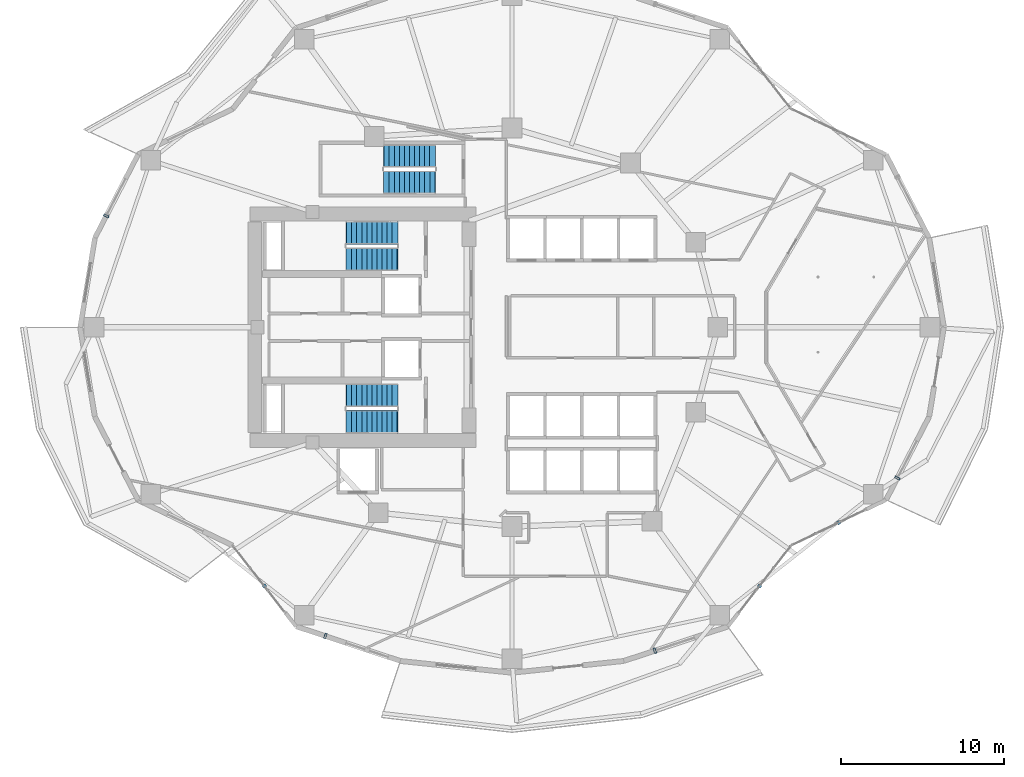
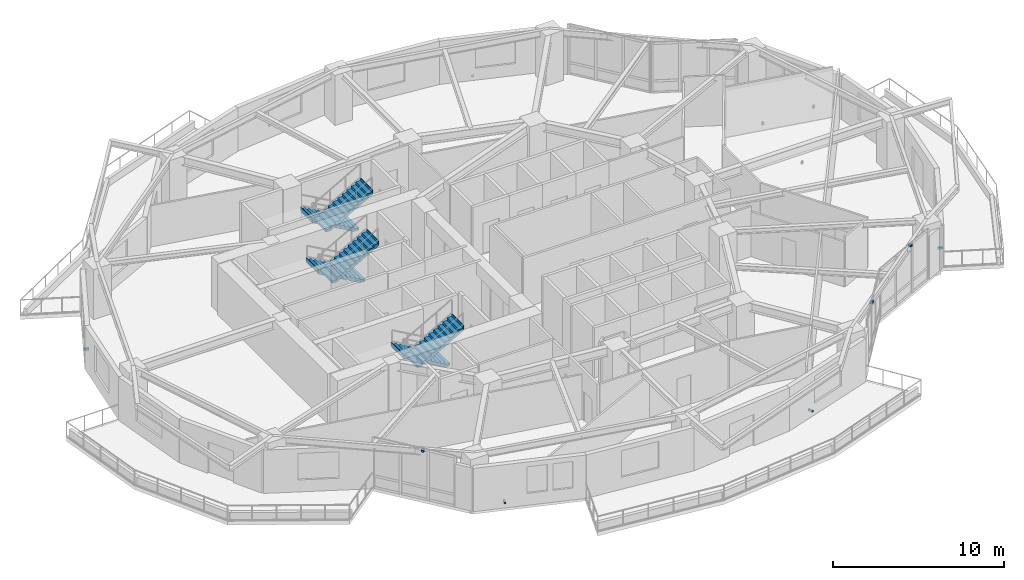
# One storey, part 12 of 18: 7 discrete accessories, 6 stair flights, 3 elements without a shape of their own.
"""IFC4 building model written with IfcOpenShell, lengths in metres."""

from ifc_helpers import new_model, si_unit, direction, frame, origin, origin_2d, place, context, subcontext, project, spatial, polyline, rectangle, outline, extrude, material, type_object, element, aggregate, save


model = new_model("IFC4")

# Units and contexts
model_context = context("Model", 3, precision=1e-05, world=origin(), true_north=direction((0.0, 1.0)))
body_context = subcontext(model_context, "Body", "Model", "MODEL_VIEW")
ifc_project = project(units=[si_unit("LENGTHUNIT", "METRE"), si_unit("AREAUNIT", "SQUARE_METRE"), si_unit("VOLUMEUNIT", "CUBIC_METRE"), si_unit("PLANEANGLEUNIT", "RADIAN"), si_unit("MASSUNIT", "GRAM", prefix="KILO")], contexts=[model_context])

# Site, building, storey
site_placement = place(None, origin())
site = spatial("IfcSite", under=ifc_project, at=site_placement, CompositionType="ELEMENT")
building_placement = place(site_placement, origin())
building = spatial("IfcBuilding", under=site, at=building_placement, Name="Kolvaren Gate Tower and Convention Centre", CompositionType="ELEMENT")
storey_placement = place(building_placement, frame((0.0, 0.0, 61.14990234375)))
storey = spatial("IfcBuildingStorey", under=building, at=storey_placement, Name="L14", CompositionType="ELEMENT", Elevation=61.14990234375)

# Stair, stair flights
ifc_material_1 = material(Name="Concrete C50/60", Category="concrete")
stair_type = type_object("IfcStairType", Name="STR-STAIR-CORE", PredefinedType="HALF_TURN_STAIR", material=ifc_material_1)
stair_1_placement = place(storey_placement, origin())
stair_1 = element("IfcStair", 1, at=stair_1_placement, inside=storey, type_object=stair_type, Name="L14 Tower North Exit Stair ST-T1", PredefinedType="HALF_TURN_STAIR")
stair_flight_type = type_object("IfcStairFlightType", Name="STR-SFL-1420", PredefinedType="STRAIGHT", material=ifc_material_1)
stair_flight_1_placement = place(storey_placement, frame((23.10009765625, 32.7900390625, 0.0), z_axis=(0.0, 0.0, 1.0), x_axis=(-1.0, 0.0, 0.0)))
stair_flight_1 = element("IfcStairFlight", 2, at=stair_flight_1_placement, type_object=stair_flight_type, Name="ST-T1 flight 1", NumberOfRisers=11, NumberOfTreads=10, PredefinedType="STRAIGHT", RiserHeight=0.175, TreadLength=0.31, context=body_context, shape_type="SweptSolid", body=[
    extrude(outline(polyline([(-0.034912109375, 0.0), (-0.034912109375, 0.175048828125), (0.31005859375, 0.175048828125), (0.31005859375, 0.35009765625), (0.6201171875, 0.35009765625), (0.6201171875, 0.52490234375), (0.929931640625, 0.52490234375), (0.929931640625, 0.699951171875), (1.239990234375, 0.699951171875), (1.239990234375, 0.875), (1.550048828125, 0.875), (1.550048828125, 1.050048828125), (1.860107421875, 1.050048828125), (1.860107421875, 1.22509765625), (2.169921875, 1.22509765625), (2.169921875, 1.39990234375), (2.47998046875, 1.39990234375), (2.47998046875, 1.574951171875), (2.7900390625, 1.574951171875), (2.7900390625, 1.75), (3.10009765625, 1.75), (3.10009765625, 1.925048828125), (3.14501953125, 1.925048828125), (3.14501953125, 1.764892578125), (3.10009765625, 1.577880859375), (0.304931640625, 0.0), (-0.034912109375, 0.0)])), frame((0.0, 0.7099609375, 0.0), z_axis=(0.0, -1.0, 0.0), x_axis=(1.0, 0.0, 0.0)), (0.0, 0.0, 1.0), 1.419921875),
])
stair_flight_2_placement = place(storey_placement, frame((20.0, 31.169921875, 1.925048828125), z_axis=(0.0, 0.0, 1.0), x_axis=(1.0, 0.0, 0.0)))
stair_flight_2 = element("IfcStairFlight", 3, at=stair_flight_2_placement, type_object=stair_flight_type, Name="ST-T1 flight 2", NumberOfRisers=11, NumberOfTreads=10, PredefinedType="STRAIGHT", RiserHeight=0.175, TreadLength=0.31, context=body_context, shape_type="SweptSolid", body=[
    extrude(outline(polyline([(-0.034912109375, 0.0), (-0.034912109375, 0.175048828125), (0.31005859375, 0.175048828125), (0.31005859375, 0.35009765625), (0.6201171875, 0.35009765625), (0.6201171875, 0.52490234375), (0.929931640625, 0.52490234375), (0.929931640625, 0.699951171875), (1.239990234375, 0.699951171875), (1.239990234375, 0.875), (1.550048828125, 0.875), (1.550048828125, 1.050048828125), (1.860107421875, 1.050048828125), (1.860107421875, 1.22509765625), (2.169921875, 1.22509765625), (2.169921875, 1.39990234375), (2.47998046875, 1.39990234375), (2.47998046875, 1.574951171875), (2.7900390625, 1.574951171875), (2.7900390625, 1.75), (3.10009765625, 1.75), (3.10009765625, 1.925048828125), (3.14501953125, 1.925048828125), (3.14501953125, 1.764892578125), (3.10009765625, 1.577880859375), (0.304931640625, 0.0), (-0.034912109375, 0.0)])), frame((0.0, 0.7099609375, 0.0), z_axis=(0.0, -1.0, 0.0), x_axis=(1.0, 0.0, 0.0)), (0.0, 0.0, 1.0), 1.419921875),
])
aggregate(stair_1, [stair_flight_1, stair_flight_2])

stair_2_placement = place(storey_placement, origin())
stair_2 = element("IfcStair", 4, at=stair_2_placement, inside=storey, type_object=stair_type, Name="L14 Tower South Exit Stair ST-T2", PredefinedType="HALF_TURN_STAIR")
stair_flight_3_placement = place(storey_placement, frame((23.10009765625, 22.830078125, 0.0), z_axis=(0.0, 0.0, 1.0), x_axis=(-1.0, 0.0, 0.0)))
stair_flight_3 = element("IfcStairFlight", 5, at=stair_flight_3_placement, type_object=stair_flight_type, Name="ST-T2 flight 1", NumberOfRisers=11, NumberOfTreads=10, PredefinedType="STRAIGHT", RiserHeight=0.175, TreadLength=0.31, context=body_context, shape_type="SweptSolid", body=[
    extrude(outline(polyline([(-0.034912109375, 0.0), (-0.034912109375, 0.175048828125), (0.31005859375, 0.175048828125), (0.31005859375, 0.35009765625), (0.6201171875, 0.35009765625), (0.6201171875, 0.52490234375), (0.929931640625, 0.52490234375), (0.929931640625, 0.699951171875), (1.239990234375, 0.699951171875), (1.239990234375, 0.875), (1.550048828125, 0.875), (1.550048828125, 1.050048828125), (1.860107421875, 1.050048828125), (1.860107421875, 1.22509765625), (2.169921875, 1.22509765625), (2.169921875, 1.39990234375), (2.47998046875, 1.39990234375), (2.47998046875, 1.574951171875), (2.7900390625, 1.574951171875), (2.7900390625, 1.75), (3.10009765625, 1.75), (3.10009765625, 1.925048828125), (3.14501953125, 1.925048828125), (3.14501953125, 1.764892578125), (3.10009765625, 1.577880859375), (0.304931640625, 0.0), (-0.034912109375, 0.0)])), frame((0.0, 0.7099609375, 0.0), z_axis=(0.0, -1.0, 0.0), x_axis=(1.0, 0.0, 0.0)), (0.0, 0.0, 1.0), 1.419921875),
])
stair_flight_4_placement = place(storey_placement, frame((20.0, 21.2099609375, 1.925048828125), z_axis=(0.0, 0.0, 1.0), x_axis=(1.0, 0.0, 0.0)))
stair_flight_4 = element("IfcStairFlight", 6, at=stair_flight_4_placement, type_object=stair_flight_type, Name="ST-T2 flight 2", NumberOfRisers=11, NumberOfTreads=10, PredefinedType="STRAIGHT", RiserHeight=0.175, TreadLength=0.31, context=body_context, shape_type="SweptSolid", body=[
    extrude(outline(polyline([(-0.034912109375, 0.0), (-0.034912109375, 0.175048828125), (0.31005859375, 0.175048828125), (0.31005859375, 0.35009765625), (0.6201171875, 0.35009765625), (0.6201171875, 0.52490234375), (0.929931640625, 0.52490234375), (0.929931640625, 0.699951171875), (1.239990234375, 0.699951171875), (1.239990234375, 0.875), (1.550048828125, 0.875), (1.550048828125, 1.050048828125), (1.860107421875, 1.050048828125), (1.860107421875, 1.22509765625), (2.169921875, 1.22509765625), (2.169921875, 1.39990234375), (2.47998046875, 1.39990234375), (2.47998046875, 1.574951171875), (2.7900390625, 1.574951171875), (2.7900390625, 1.75), (3.10009765625, 1.75), (3.10009765625, 1.925048828125), (3.14501953125, 1.925048828125), (3.14501953125, 1.764892578125), (3.10009765625, 1.577880859375), (0.304931640625, 0.0), (-0.034912109375, 0.0)])), frame((0.0, 0.7099609375, 0.0), z_axis=(0.0, -1.0, 0.0), x_axis=(1.0, 0.0, 0.0)), (0.0, 0.0, 1.0), 1.419921875),
])
aggregate(stair_2, [stair_flight_3, stair_flight_4])

stair_3_placement = place(storey_placement, origin())
stair_3 = element("IfcStair", 7, at=stair_3_placement, inside=storey, type_object=stair_type, Name="L14 Tower Mid-Zone Exit Stair ST-T3", PredefinedType="HALF_TURN_STAIR")
stair_flight_5_placement = place(storey_placement, frame((25.39990234375, 37.489990234375, 0.0), z_axis=(0.0, 0.0, 1.0), x_axis=(-1.0, 0.0, 0.0)))
stair_flight_5 = element("IfcStairFlight", 8, at=stair_flight_5_placement, type_object=stair_flight_type, Name="ST-T3 flight 1", NumberOfRisers=11, NumberOfTreads=10, PredefinedType="STRAIGHT", RiserHeight=0.175, TreadLength=0.31, context=body_context, shape_type="SweptSolid", body=[
    extrude(outline(polyline([(-0.034912109375, 0.0), (-0.034912109375, 0.175048828125), (0.31005859375, 0.175048828125), (0.31005859375, 0.35009765625), (0.6201171875, 0.35009765625), (0.6201171875, 0.52490234375), (0.929931640625, 0.52490234375), (0.929931640625, 0.699951171875), (1.239990234375, 0.699951171875), (1.239990234375, 0.875), (1.550048828125, 0.875), (1.550048828125, 1.050048828125), (1.860107421875, 1.050048828125), (1.860107421875, 1.22509765625), (2.169921875, 1.22509765625), (2.169921875, 1.39990234375), (2.47998046875, 1.39990234375), (2.47998046875, 1.574951171875), (2.7900390625, 1.574951171875), (2.7900390625, 1.75), (3.10009765625, 1.75), (3.10009765625, 1.925048828125), (3.14501953125, 1.925048828125), (3.14501953125, 1.764892578125), (3.10009765625, 1.577880859375), (0.304931640625, 0.0), (-0.034912109375, 0.0)])), frame((0.0, 0.7099609375, 0.0), z_axis=(0.0, -1.0, 0.0), x_axis=(1.0, 0.0, 0.0)), (0.0, 0.0, 1.0), 1.419921875),
])
stair_flight_6_placement = place(storey_placement, frame((22.300048828125, 35.8701171875, 1.925048828125), z_axis=(0.0, 0.0, 1.0), x_axis=(1.0, 0.0, 0.0)))
stair_flight_6 = element("IfcStairFlight", 9, at=stair_flight_6_placement, type_object=stair_flight_type, Name="ST-T3 flight 2", NumberOfRisers=11, NumberOfTreads=10, PredefinedType="STRAIGHT", RiserHeight=0.175, TreadLength=0.31, context=body_context, shape_type="SweptSolid", body=[
    extrude(outline(polyline([(-0.034912109375, 0.0), (-0.034912109375, 0.175048828125), (0.31005859375, 0.175048828125), (0.31005859375, 0.35009765625), (0.6201171875, 0.35009765625), (0.6201171875, 0.52490234375), (0.929931640625, 0.52490234375), (0.929931640625, 0.699951171875), (1.239990234375, 0.699951171875), (1.239990234375, 0.875), (1.550048828125, 0.875), (1.550048828125, 1.050048828125), (1.860107421875, 1.050048828125), (1.860107421875, 1.22509765625), (2.169921875, 1.22509765625), (2.169921875, 1.39990234375), (2.47998046875, 1.39990234375), (2.47998046875, 1.574951171875), (2.7900390625, 1.574951171875), (2.7900390625, 1.75), (3.10009765625, 1.75), (3.10009765625, 1.925048828125), (3.14501953125, 1.925048828125), (3.14501953125, 1.764892578125), (3.10009765625, 1.577880859375), (0.304931640625, 0.0), (-0.034912109375, 0.0)])), frame((0.0, 0.7099609375, 0.0), z_axis=(0.0, -1.0, 0.0), x_axis=(1.0, 0.0, 0.0)), (0.0, 0.0, 1.0), 1.419921875),
])
aggregate(stair_3, [stair_flight_5, stair_flight_6])

# Discrete accessories
ifc_material_2 = material(Name="Anodized Architectural Aluminium Alloy 6063-T6", Category="aluminium")
discrete_accessory_type = type_object("IfcDiscreteAccessoryType", Name="ARCH-ACC-BRACKET-120", PredefinedType="BRACKET", material=ifc_material_2)
discrete_accessory_1_placement = place(storey_placement, frame((5.283447265625, 33.816650390625, 0.2900390625), z_axis=(0.0, 0.0, 1.0), x_axis=(0.45980150925, 0.888021718254, 0.0)))
element("IfcDiscreteAccessory", 10, at=discrete_accessory_1_placement, inside=storey, type_object=discrete_accessory_type, Name="Ceramic Fin Wall Anchor Bracket FBK-L14-10", PredefinedType="BRACKET", context=body_context, shape_type="SweptSolid", body=[
    extrude(rectangle(XDim=0.1201171875, YDim=0.320068359375, at=origin_2d()), origin(), (0.0, 0.0, 1.0), 0.1201171875),
])
discrete_accessory_2_placement = place(storey_placement, frame((14.966064453125, 11.161865234375, 3.39013671875), z_axis=(0.0, 0.0, 1.0), x_axis=(0.616431370541, -0.787408639407, 0.0)))
element("IfcDiscreteAccessory", 11, at=discrete_accessory_2_placement, inside=storey, type_object=discrete_accessory_type, Name="Solar Screen Spandrel Anchor Bracket BK-L14-15", PredefinedType="BRACKET", context=body_context, shape_type="SweptSolid", body=[
    extrude(rectangle(XDim=0.179931640625, YDim=0.219970703125, at=origin_2d()), origin(), (0.0, 0.0, 1.0), 0.1201171875),
])
for number, where, z_axis, x_axis, name in (
    (12, (18.7001953125, 8.089111328125, 0.2900390625), (0.0, 0.0, 1.0), (0.949241728595, -0.314547517385, 0.0), "Ceramic Fin Wall Anchor Bracket FBK-L14-16"),
    (13, (38.864990234375, 7.199462890625, 0.2900390625), (0.0, 0.0, 1.0), (0.949241728595, 0.314547517385, 0.0), "Ceramic Fin Wall Anchor Bracket FBK-L14-19"),
):
    element("IfcDiscreteAccessory", number, at=place(storey_placement, frame(where, z_axis=z_axis, x_axis=x_axis)), inside=storey, type_object=discrete_accessory_type, Name=name, PredefinedType="BRACKET", context=body_context, shape_type="SweptSolid", body=[
        extrude(rectangle(XDim=0.1201171875, YDim=0.320068359375, at=origin_2d()), origin(), (0.0, 0.0, 1.0), 0.1201171875),
    ])
for number, where, z_axis, x_axis, name in (
    (14, (45.283935546875, 11.161865234375, 3.39013671875), (0.0, 0.0, 1.0), (0.616431370541, 0.787408639407, 0.0), "Solar Screen Spandrel Anchor Bracket BK-L14-20"),
    (15, (50.122314453125, 15.032470703125, 3.39013671875), (0.0, 0.0, 1.0), (0.901357634097, 0.433075530889, 0.0), "Solar Screen Spandrel Anchor Bracket BK-L14-21"),
):
    element("IfcDiscreteAccessory", number, at=place(storey_placement, frame(where, z_axis=z_axis, x_axis=x_axis)), inside=storey, type_object=discrete_accessory_type, Name=name, PredefinedType="BRACKET", context=body_context, shape_type="SweptSolid", body=[
        extrude(rectangle(XDim=0.179931640625, YDim=0.219970703125, at=origin_2d()), origin(), (0.0, 0.0, 1.0), 0.1201171875),
    ])
discrete_accessory_3_placement = place(storey_placement, frame((53.7158203125, 17.767578125, 0.2900390625), z_axis=(0.0, 0.0, 1.0), x_axis=(0.45980150925, 0.888021718254, 0.0)))
element("IfcDiscreteAccessory", 16, at=discrete_accessory_3_placement, inside=storey, type_object=discrete_accessory_type, Name="Ceramic Fin Wall Anchor Bracket FBK-L14-22", PredefinedType="BRACKET", context=body_context, shape_type="SweptSolid", body=[
    extrude(rectangle(XDim=0.1201171875, YDim=0.320068359375, at=origin_2d()), origin(), (0.0, 0.0, 1.0), 0.1201171875),
])

save(model, "model.ifc")
